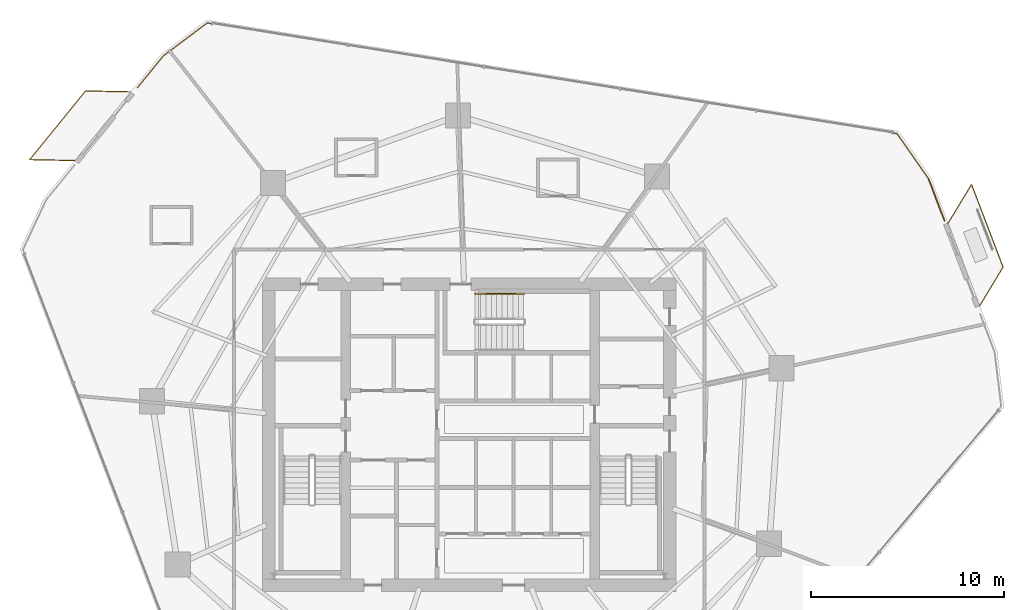
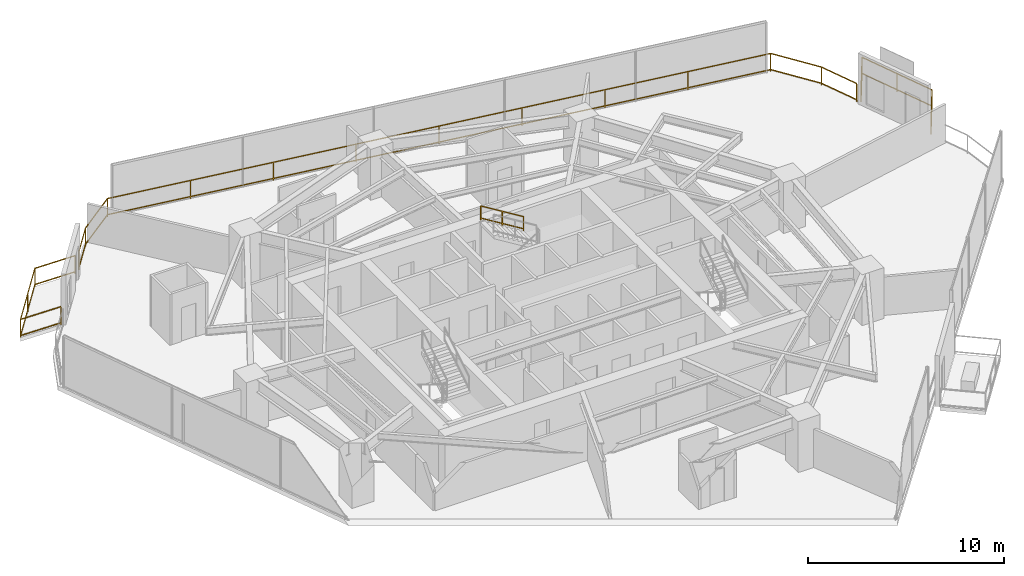
# One storey, part 31 of 31: 5 railings.
"""IFC4 building model written with IfcOpenShell, lengths in metres."""

from ifc_helpers import new_model, si_unit, direction, frame, origin, origin_2d, place, context, subcontext, project, spatial, rectangle, extrude, material, type_object, element, save


model = new_model("IFC4")

# Units and contexts
model_context = context("Model", 3, precision=1e-05, world=origin(), true_north=direction((0.0, 1.0)))
body_context = subcontext(model_context, "Body", "Model", "MODEL_VIEW")
ifc_project = project(units=[si_unit("LENGTHUNIT", "METRE"), si_unit("AREAUNIT", "SQUARE_METRE"), si_unit("VOLUMEUNIT", "CUBIC_METRE"), si_unit("PLANEANGLEUNIT", "RADIAN"), si_unit("MASSUNIT", "GRAM", prefix="KILO")], contexts=[model_context])

# Site, building, storey
site_placement = place(None, origin())
site = spatial("IfcSite", under=ifc_project, at=site_placement, CompositionType="ELEMENT")
building_placement = place(site_placement, origin())
building = spatial("IfcBuilding", under=site, at=building_placement, Name="Qarnah Convention Tower", CompositionType="ELEMENT")
storey_placement = place(building_placement, frame((0.0, 0.0, 33.89990234375)))
storey = spatial("IfcBuildingStorey", under=building, at=storey_placement, Name="L07", CompositionType="ELEMENT", Elevation=33.89990234375)

# Railings
ifc_material_1 = material(Name="Black anodised aluminium", Category="aluminium")
railing_type_1 = type_object("IfcRailingType", Name="RL-EXT-GUARD-1150", PredefinedType="GUARDRAIL", material=ifc_material_1)
railing_1_placement = place(storey_placement, frame((61.010986328125, 39.669921875, 0.0)))
element("IfcRailing", 1, at=railing_1_placement, inside=storey, type_object=railing_type_1, Name="L07 slab-edge perimeter safety guard 01", PredefinedType="GUARDRAIL", context=body_context, shape_type="SweptSolid", body=[
    extrude(rectangle(XDim=0.048095703125, YDim=0.048095703125, at=origin_2d()), frame((0.0, 0.0, 1.1259765625), z_axis=(0.356447617964, -0.934315308473, 0.0), x_axis=(0.934315308473, 0.356447617964, 0.0)), (0.0, 0.0, 1.0), 2.334228515625),
    extrude(rectangle(XDim=0.048095703125, YDim=0.048095703125, at=origin_2d()), frame((0.0, 0.0, 0.1201171875), z_axis=(0.356447617964, -0.934315308473, 0.0), x_axis=(0.934315308473, 0.356447617964, 0.0)), (0.0, 0.0, 1.0), 2.334228515625),
    extrude(rectangle(XDim=0.0419921875, YDim=0.0419921875, at=origin_2d()), origin(), (0.0, 0.0, 1.0), 1.101806640625),
    extrude(rectangle(XDim=0.0419921875, YDim=0.0419921875, at=origin_2d()), frame((0.83203125, -2.180908203125, 0.0)), (0.0, 0.0, 1.0), 1.101806640625),
])
railing_2_placement = place(storey_placement, frame((19.991943359375, 44.39111328125, 0.0)))
element("IfcRailing", 2, at=railing_2_placement, inside=storey, type_object=railing_type_1, Name="L07 slab-edge perimeter safety guard 03", PredefinedType="GUARDRAIL", context=body_context, shape_type="SweptSolid", body=[
    extrude(rectangle(XDim=0.048095703125, YDim=0.048095703125, at=origin_2d()), frame((0.0, 0.0, 1.1259765625), z_axis=(0.631189419191, 0.775628723747, 0.0), x_axis=(-0.775628723747, 0.631189419191, 0.0)), (0.0, 0.0, 1.0), 2.124755859375),
    extrude(rectangle(XDim=0.048095703125, YDim=0.048095703125, at=origin_2d()), frame((0.0, 0.0, 0.1201171875), z_axis=(0.631189419191, 0.775628723747, 0.0), x_axis=(-0.775628723747, 0.631189419191, 0.0)), (0.0, 0.0, 1.0), 2.124755859375),
    extrude(rectangle(XDim=0.048095703125, YDim=0.048095703125, at=origin_2d()), frame((1.341064453125, 1.64794921875, 1.1259765625), z_axis=(0.799763782258, 0.600314827893, 0.0), x_axis=(-0.600314827893, 0.799763782258, 0.0)), (0.0, 0.0, 1.0), 2.853271484375),
    extrude(rectangle(XDim=0.048095703125, YDim=0.048095703125, at=origin_2d()), frame((1.341064453125, 1.64794921875, 0.1201171875), z_axis=(0.799763782258, 0.600314827893, 0.0), x_axis=(-0.600314827893, 0.799763782258, 0.0)), (0.0, 0.0, 1.0), 2.853271484375),
    extrude(rectangle(XDim=0.048095703125, YDim=0.048095703125, at=origin_2d()), frame((3.623046875, 3.36083984375, 1.1259765625), z_axis=(0.987359789339, -0.158494941233, 0.0), x_axis=(0.158494941233, 0.987359789339, 0.0)), (0.0, 0.0, 1.0), 36.2216796875),
    extrude(rectangle(XDim=0.048095703125, YDim=0.048095703125, at=origin_2d()), frame((3.623046875, 3.36083984375, 0.1201171875), z_axis=(0.987359789339, -0.158494941233, 0.0), x_axis=(0.158494941233, 0.987359789339, 0.0)), (0.0, 0.0, 1.0), 36.2216796875),
    extrude(rectangle(XDim=0.048095703125, YDim=0.048095703125, at=origin_2d()), frame((39.386962890625, -2.380126953125, 1.1259765625), z_axis=(0.571893856621, -0.820327627695, 0.0), x_axis=(0.820327627695, 0.571893856621, 0.0)), (0.0, 0.0, 1.0), 2.853759765625),
    extrude(rectangle(XDim=0.048095703125, YDim=0.048095703125, at=origin_2d()), frame((39.386962890625, -2.380126953125, 0.1201171875), z_axis=(0.571893856621, -0.820327627695, 0.0), x_axis=(0.820327627695, 0.571893856621, 0.0)), (0.0, 0.0, 1.0), 2.853759765625),
    extrude(rectangle(XDim=0.0419921875, YDim=0.0419921875, at=origin_2d()), origin(), (0.0, 0.0, 1.0), 1.101806640625),
    extrude(rectangle(XDim=0.0419921875, YDim=0.0419921875, at=origin_2d()), frame((1.341064453125, 1.64794921875, 0.0)), (0.0, 0.0, 1.0), 1.101806640625),
    extrude(rectangle(XDim=0.0419921875, YDim=0.0419921875, at=origin_2d()), frame((3.623046875, 3.36083984375, 0.0)), (0.0, 0.0, 1.0), 1.101806640625),
    extrude(rectangle(XDim=0.0419921875, YDim=0.0419921875, at=origin_2d()), frame((8.093505859375, 2.643310546875, 0.0)), (0.0, 0.0, 1.0), 1.101806640625),
    extrude(rectangle(XDim=0.0419921875, YDim=0.0419921875, at=origin_2d()), frame((12.56396484375, 1.925537109375, 0.0)), (0.0, 0.0, 1.0), 1.101806640625),
    extrude(rectangle(XDim=0.0419921875, YDim=0.0419921875, at=origin_2d()), frame((17.034423828125, 1.2080078125, 0.0)), (0.0, 0.0, 1.0), 1.101806640625),
    extrude(rectangle(XDim=0.0419921875, YDim=0.0419921875, at=origin_2d()), frame((21.5048828125, 0.490234375, 0.0)), (0.0, 0.0, 1.0), 1.101806640625),
    extrude(rectangle(XDim=0.0419921875, YDim=0.0419921875, at=origin_2d()), frame((25.9755859375, -0.227294921875, 0.0)), (0.0, 0.0, 1.0), 1.101806640625),
    extrude(rectangle(XDim=0.0419921875, YDim=0.0419921875, at=origin_2d()), frame((30.446044921875, -0.94482421875, 0.0)), (0.0, 0.0, 1.0), 1.101806640625),
    extrude(rectangle(XDim=0.0419921875, YDim=0.0419921875, at=origin_2d()), frame((34.91650390625, -1.66259765625, 0.0)), (0.0, 0.0, 1.0), 1.101806640625),
    extrude(rectangle(XDim=0.0419921875, YDim=0.0419921875, at=origin_2d()), frame((39.386962890625, -2.380126953125, 0.0)), (0.0, 0.0, 1.0), 1.101806640625),
    extrude(rectangle(XDim=0.0419921875, YDim=0.0419921875, at=origin_2d()), frame((41.01904296875, -4.72119140625, 0.0)), (0.0, 0.0, 1.0), 1.101806640625),
])
railing_3_placement = place(storey_placement, frame((62.031005859375, 37.3740234375, 0.0)))
element("IfcRailing", 3, at=railing_3_placement, inside=storey, type_object=railing_type_1, Name="L07 balcony safety guard BAL-L07-C1", PredefinedType="GUARDRAIL", context=body_context, shape_type="SweptSolid", body=[
    extrude(rectangle(XDim=0.048095703125, YDim=0.048095703125, at=origin_2d()), frame((0.0, 0.0, 1.1259765625), z_axis=(0.517031537616, 0.855966348118, 0.0), x_axis=(-0.855966348118, 0.517031537616, 0.0)), (0.0, 0.0, 1.0), 2.34814453125),
    extrude(rectangle(XDim=0.048095703125, YDim=0.048095703125, at=origin_2d()), frame((0.0, 0.0, 0.1201171875), z_axis=(0.517031537616, 0.855966348118, 0.0), x_axis=(-0.855966348118, 0.517031537616, 0.0)), (0.0, 0.0, 1.0), 2.34814453125),
    extrude(rectangle(XDim=0.048095703125, YDim=0.048095703125, at=origin_2d()), frame((1.214111328125, 2.010009765625, 1.1259765625), z_axis=(0.356288848576, -0.934375864618, 0.0), x_axis=(0.934375864618, 0.356288848576, 0.0)), (0.0, 0.0, 1.0), 4.599853515625),
    extrude(rectangle(XDim=0.048095703125, YDim=0.048095703125, at=origin_2d()), frame((1.214111328125, 2.010009765625, 0.1201171875), z_axis=(0.356288848576, -0.934375864618, 0.0), x_axis=(0.934375864618, 0.356288848576, 0.0)), (0.0, 0.0, 1.0), 4.599853515625),
    extrude(rectangle(XDim=0.048095703125, YDim=0.048095703125, at=origin_2d()), frame((2.85302734375, -2.2880859375, 1.1259765625), z_axis=(-0.516726739688, -0.856150381938, 0.0), x_axis=(0.856150381938, -0.516726739688, 0.0)), (0.0, 0.0, 1.0), 2.34765625),
    extrude(rectangle(XDim=0.048095703125, YDim=0.048095703125, at=origin_2d()), frame((2.85302734375, -2.2880859375, 0.1201171875), z_axis=(-0.516726739688, -0.856150381938, 0.0), x_axis=(0.856150381938, -0.516726739688, 0.0)), (0.0, 0.0, 1.0), 2.34765625),
    extrude(rectangle(XDim=0.0419921875, YDim=0.0419921875, at=origin_2d()), origin(), (0.0, 0.0, 1.0), 1.101806640625),
    extrude(rectangle(XDim=0.0419921875, YDim=0.0419921875, at=origin_2d()), frame((1.214111328125, 2.010009765625, 0.0)), (0.0, 0.0, 1.0), 1.101806640625),
    extrude(rectangle(XDim=0.0419921875, YDim=0.0419921875, at=origin_2d()), frame((2.03369140625, -0.13916015625, 0.0)), (0.0, 0.0, 1.0), 1.101806640625),
    extrude(rectangle(XDim=0.0419921875, YDim=0.0419921875, at=origin_2d()), frame((2.85302734375, -2.2880859375, 0.0)), (0.0, 0.0, 1.0), 1.101806640625),
    extrude(rectangle(XDim=0.0419921875, YDim=0.0419921875, at=origin_2d()), frame((1.639892578125, -4.298095703125, 0.0)), (0.0, 0.0, 1.0), 1.101806640625),
])
railing_4_placement = place(storey_placement, frame((16.742919921875, 40.60888671875, 0.0)))
element("IfcRailing", 4, at=railing_4_placement, inside=storey, type_object=railing_type_1, Name="L07 balcony safety guard BAL-L07-C2", PredefinedType="GUARDRAIL", context=body_context, shape_type="SweptSolid", body=[
    extrude(rectangle(XDim=0.048095703125, YDim=0.048095703125, at=origin_2d()), frame((0.0, 0.0, 1.1259765625), z_axis=(-0.999806780994, 0.019657077042, 0.0), x_axis=(-0.019657077042, -0.999806780994, 0.0)), (0.0, 0.0, 1.0), 2.347412109375),
    extrude(rectangle(XDim=0.048095703125, YDim=0.048095703125, at=origin_2d()), frame((0.0, 0.0, 0.1201171875), z_axis=(-0.999806780994, 0.019657077042, 0.0), x_axis=(-0.019657077042, -0.999806780994, 0.0)), (0.0, 0.0, 1.0), 2.347412109375),
    extrude(rectangle(XDim=0.048095703125, YDim=0.048095703125, at=origin_2d()), frame((-2.346923828125, 0.046142578125, 1.1259765625), z_axis=(0.630882298929, 0.775878550353, 0.0), x_axis=(-0.775878550353, 0.630882298929, 0.0)), (0.0, 0.0, 1.0), 4.60009765625),
    extrude(rectangle(XDim=0.048095703125, YDim=0.048095703125, at=origin_2d()), frame((-2.346923828125, 0.046142578125, 0.1201171875), z_axis=(0.630882298929, 0.775878550353, 0.0), x_axis=(-0.775878550353, 0.630882298929, 0.0)), (0.0, 0.0, 1.0), 4.60009765625),
    extrude(rectangle(XDim=0.048095703125, YDim=0.048095703125, at=origin_2d()), frame((0.55517578125, 3.615234375, 1.1259765625), z_axis=(0.999806780994, -0.019657077042, 0.0), x_axis=(0.019657077042, 0.999806780994, 0.0)), (0.0, 0.0, 1.0), 2.347412109375),
    extrude(rectangle(XDim=0.048095703125, YDim=0.048095703125, at=origin_2d()), frame((0.55517578125, 3.615234375, 0.1201171875), z_axis=(0.999806780994, -0.019657077042, 0.0), x_axis=(0.019657077042, 0.999806780994, 0.0)), (0.0, 0.0, 1.0), 2.347412109375),
    extrude(rectangle(XDim=0.0419921875, YDim=0.0419921875, at=origin_2d()), origin(), (0.0, 0.0, 1.0), 1.101806640625),
    extrude(rectangle(XDim=0.0419921875, YDim=0.0419921875, at=origin_2d()), frame((-2.346923828125, 0.046142578125, 0.0)), (0.0, 0.0, 1.0), 1.101806640625),
    extrude(rectangle(XDim=0.0419921875, YDim=0.0419921875, at=origin_2d()), frame((-0.89599609375, 1.83056640625, 0.0)), (0.0, 0.0, 1.0), 1.101806640625),
    extrude(rectangle(XDim=0.0419921875, YDim=0.0419921875, at=origin_2d()), frame((0.55517578125, 3.615234375, 0.0)), (0.0, 0.0, 1.0), 1.101806640625),
    extrude(rectangle(XDim=0.0419921875, YDim=0.0419921875, at=origin_2d()), frame((2.902099609375, 3.569091796875, 0.0)), (0.0, 0.0, 1.0), 1.101806640625),
])
ifc_material_2 = material(Name="Structural steel S355JR", Category="steel")
railing_type_2 = type_object("IfcRailingType", Name="RL-STAIR-HAND-900", PredefinedType="HANDRAIL", material=ifc_material_2)
railing_5_placement = place(storey_placement, frame((40.02001953125, 33.699951171875, 1.897705078125)))
element("IfcRailing", 5, at=railing_5_placement, inside=storey, type_object=railing_type_2, Name="L07 ST-3 stair handrail 2", PredefinedType="HANDRAIL", context=body_context, shape_type="SweptSolid", body=[
    extrude(rectangle(XDim=0.048095703125, YDim=0.048095703125, at=origin_2d()), frame((0.0, 0.0, 0.8759765625), z_axis=(-0.851400495292, 0.0, 0.524516154772), x_axis=(0.0, -1.0, 0.0)), (0.0, 0.0, 1.0), 2.9599609375),
    extrude(rectangle(XDim=0.048095703125, YDim=0.048095703125, at=origin_2d()), frame((0.0, 0.0, 0.1201171875), z_axis=(-0.851400495292, 0.0, 0.524516154772), x_axis=(0.0, -1.0, 0.0)), (0.0, 0.0, 1.0), 2.9599609375),
    extrude(rectangle(XDim=0.0419921875, YDim=0.0419921875, at=origin_2d()), origin(), (0.0, 0.0, 1.0), 0.851806640625),
    extrude(rectangle(XDim=0.0419921875, YDim=0.0419921875, at=origin_2d()), frame((-1.260009765625, 0.0, 0.7763671875)), (0.0, 0.0, 1.0), 0.851806640625),
    extrude(rectangle(XDim=0.0419921875, YDim=0.0419921875, at=origin_2d()), frame((-2.52001953125, 0.0, 1.552490234375)), (0.0, 0.0, 1.0), 0.851806640625),
])

save(model, "model.ifc")
